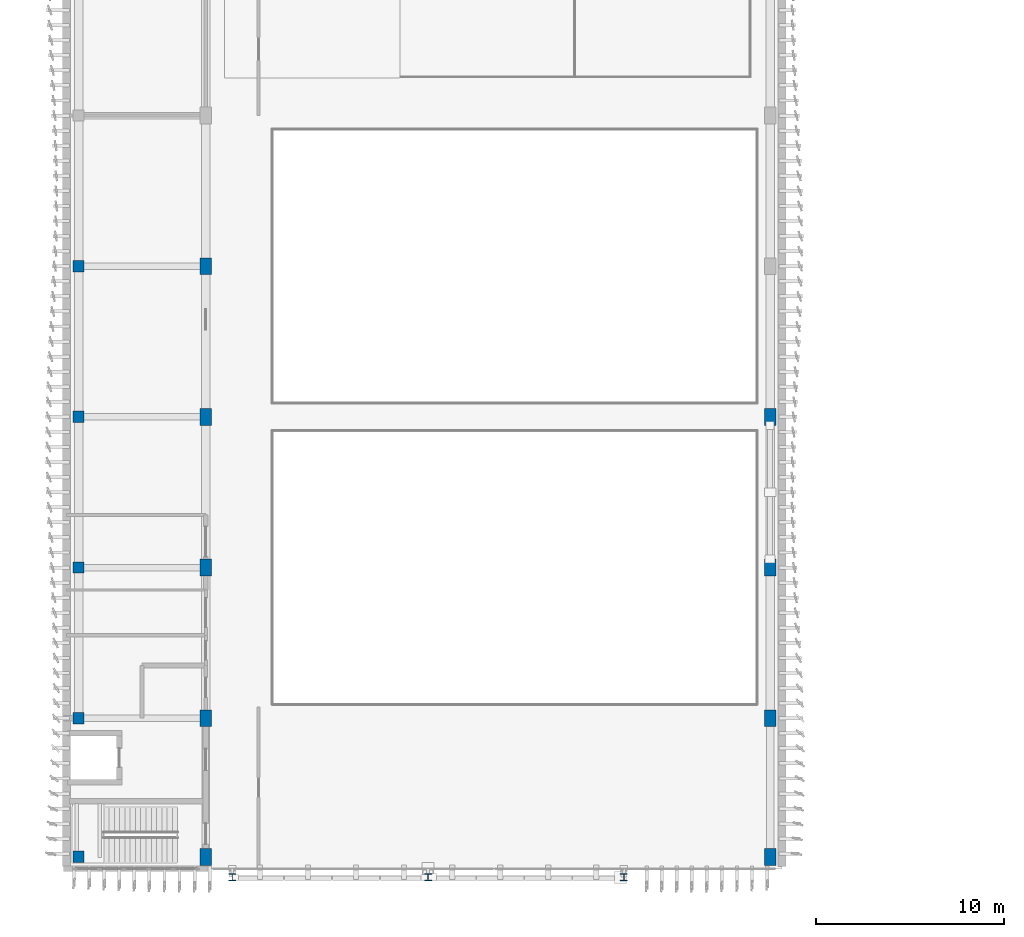
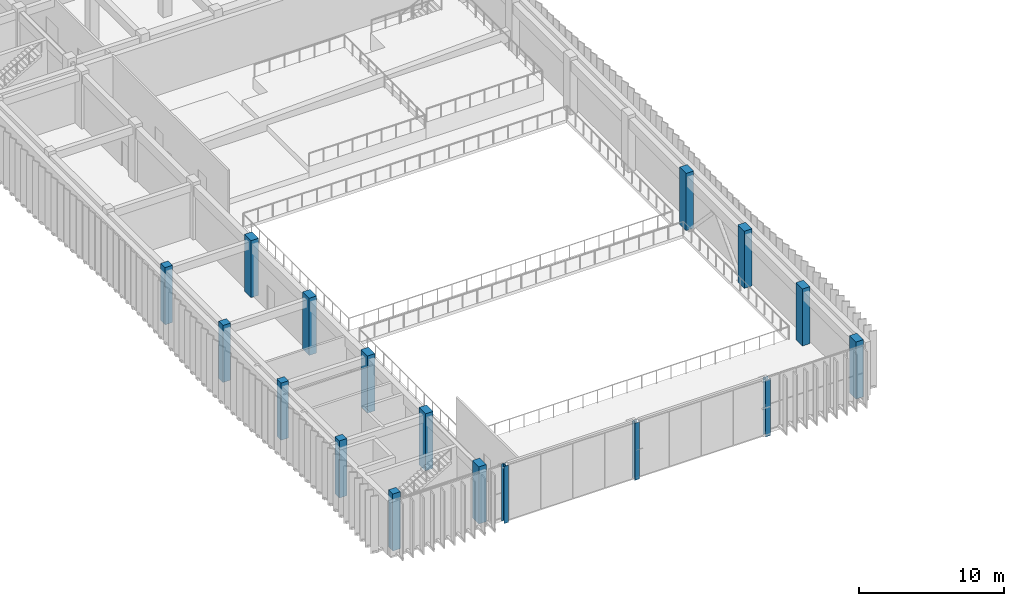
# One storey, part 1 of 64: 17 columns.
"""IFC4 building model written with IfcOpenShell, lengths in metres."""

import ifcopenshell
import ifcopenshell.guid

model = None  # the IFC model being written
_history = None  # IfcOwnerHistory: only IFC2X3 demands one
_inside = {}  # id of a spatial element -> (the spatial element, [elements in it])
_under = {}  # id of a project, library or spatial element -> (it, [spatial elements below it])
_declared = {}  # id of a project -> (the project, [libraries it declares])
_typed = {}  # id of a type object -> (the type object, [elements of that type])
_made_of = {}  # id of a material, layer set ... -> (it, [elements and type objects made of it])


def new_model(schema):
    """Start an empty IFC model of exactly this schema.

    Asked for "IFC4X3", IfcOpenShell would pick the latest addendum, in which some entities
    have other attributes; the version numbers below select the first issue.
    IFC2X3 requires an IfcOwnerHistory on every rooted entity: one is made here for all.
    """
    global model, _history
    if schema == "IFC4X3":
        model = ifcopenshell.file(schema_version=(4, 3, 0, 0))
    else:
        model = ifcopenshell.file(schema=schema)
    _inside.clear()
    _under.clear()
    _declared.clear()
    _typed.clear()
    _made_of.clear()
    _history = None
    if model.schema == "IFC2X3":
        org = make("IfcOrganization", Name="unknown")
        user = make(
            "IfcPersonAndOrganization",
            ThePerson=make("IfcPerson", FamilyName="unknown"),
            TheOrganization=org,
        )
        app = make(
            "IfcApplication",
            ApplicationDeveloper=org,
            Version="unknown",
            ApplicationFullName="unknown",
            ApplicationIdentifier="unknown",
        )
        _history = make(
            "IfcOwnerHistory",
            OwningUser=user,
            OwningApplication=app,
            ChangeAction="ADDED",
            CreationDate=0,
        )
    return model


def make(cls, **values):
    """One entity of the class cls with the attributes given. An attribute that is None is left unset."""
    return model.create_entity(
        cls, **{name: value for name, value in values.items() if value is not None}
    )


def rooted(cls, **values):
    """An entity with a GlobalId (a new one), such as an element, a storey or a relation."""
    return make(cls, GlobalId=ifcopenshell.guid.new(), OwnerHistory=_history, **values)


def si_unit(unit_type, name, prefix=None):
    """IfcSIUnit, for example si_unit("LENGTHUNIT", "METRE", prefix="MILLI")."""
    return make("IfcSIUnit", UnitType=unit_type, Prefix=prefix, Name=name)


def assignment(units):
    """IfcUnitAssignment: the units of a project."""
    return None if units is None else make("IfcUnitAssignment", Units=units)


def point(xyz):
    """IfcCartesianPoint."""
    return None if xyz is None else make("IfcCartesianPoint", Coordinates=xyz)


def direction(xyz):
    """IfcDirection."""
    return None if xyz is None else make("IfcDirection", DirectionRatios=xyz)


def frame(location, z_axis=None, x_axis=None):
    """IfcAxis2Placement3D, a coordinate frame: its origin and axes. An axis left out is left unset."""
    return make(
        "IfcAxis2Placement3D",
        Location=point(location),
        Axis=direction(z_axis),
        RefDirection=direction(x_axis),
    )


def frame_2d(location, x_axis=None):
    """IfcAxis2Placement2D, a coordinate frame in the plane: its origin and x axis."""
    return make(
        "IfcAxis2Placement2D", Location=point(location), RefDirection=direction(x_axis)
    )


def origin():
    """The frame at (0, 0, 0) with its axes left unset."""
    return frame((0.0, 0.0, 0.0))


def origin_2d():
    """The frame at (0, 0) in the plane with its x axis left unset."""
    return frame_2d((0.0, 0.0))


def place(relative_to, where):
    """IfcLocalPlacement: puts the frame where relative to a parent placement (None: the world)."""
    return make(
        "IfcLocalPlacement", PlacementRelTo=relative_to, RelativePlacement=where
    )


def context(
    kind, dimensions, precision=None, world=None, true_north=None, identifier=None
):
    """IfcGeometricRepresentationContext, for example the 3D "Model" context."""
    return make(
        "IfcGeometricRepresentationContext",
        ContextIdentifier=identifier,
        ContextType=kind,
        CoordinateSpaceDimension=dimensions,
        Precision=precision,
        WorldCoordinateSystem=world,
        TrueNorth=true_north,
    )


def subcontext(parent, identifier, kind, view, scale=None):
    """IfcGeometricRepresentationSubContext, for example "Body" below "Model"."""
    return make(
        "IfcGeometricRepresentationSubContext",
        ContextIdentifier=identifier,
        ContextType=kind,
        ParentContext=parent,
        TargetScale=scale,
        TargetView=view,
    )


def project(units=None, contexts=None):
    """IfcProject with its units and contexts."""
    return rooted(
        "IfcProject",
        Name="project",
        RepresentationContexts=contexts,
        UnitsInContext=assignment(units),
    )


def spatial(cls, under=None, at=None, **own):
    """A site, building, storey or space (cls), placed at a placement, below another one or the project."""
    s = rooted(cls, ObjectPlacement=at, **own)
    if under is not None:
        _under.setdefault(under.id(), (under, []))[1].append(s)
    return s


def profile(cls, at=None, kind="AREA", **sizes):
    """A parametric profile (cls). Its sizes go by their IFC names, for example OverallWidth=200.0."""
    return make(cls, ProfileType=kind, Position=at, **sizes)


def rectangle(**sizes):
    """IfcRectangleProfileDef."""
    return profile("IfcRectangleProfileDef", **sizes)


def i_section(**sizes):
    """IfcIShapeProfileDef."""
    return profile("IfcIShapeProfileDef", **sizes)


def extrude(swept, where, along, depth):
    """IfcExtrudedAreaSolid: the profile swept, set in the frame where, extruded along a direction by depth."""
    return make(
        "IfcExtrudedAreaSolid",
        SweptArea=swept,
        Position=where,
        ExtrudedDirection=direction(along),
        Depth=depth,
    )


def shape(context_of_items, identifier, shape_type, items):
    """IfcShapeRepresentation: the items that make up one representation, for example the "Body"."""
    return make(
        "IfcShapeRepresentation",
        ContextOfItems=context_of_items,
        RepresentationIdentifier=identifier,
        RepresentationType=shape_type,
        Items=items,
    )


def material(Name=None, Category=None):
    """IfcMaterial."""
    return make("IfcMaterial", Name=Name, Category=Category)


def material_profile(
    of_material, cross_section, Name=None, Category=None, Priority=None
):
    """IfcMaterialProfile: a cross section and its material."""
    return make(
        "IfcMaterialProfile",
        Name=Name,
        Material=of_material,
        Profile=cross_section,
        Priority=Priority,
        Category=Category,
    )


def profile_set(profiles, Name=None, composite=None):
    """IfcMaterialProfileSet."""
    return make(
        "IfcMaterialProfileSet",
        Name=Name,
        MaterialProfiles=profiles,
        CompositeProfile=composite,
    )


def made_of(thing, what):
    """Note that an element or type object is made of a material, layer set ...; save() writes the relation."""
    if what is not None:
        _made_of.setdefault(what.id(), (what, []))[1].append(thing)
    return thing


def type_object(cls, material=None, **own):
    """A type object (cls), such as IfcWallType, which elements share."""
    return made_of(rooted(cls, **own), material)


def element(
    cls,
    number,
    at=None,
    inside=None,
    cuts=None,
    type_object=None,
    material=None,
    context=None,
    identifier="Body",
    shape_type=None,
    held_by="IfcProductDefinitionShape",
    body=None,
    shapes=None,
    **own,
):
    """One element of the class cls, such as IfcWall. Its Tag is "e" and its number.

    at: its placement. inside: the storey or other place that contains it. cuts: it is an
    opening in that element (IfcRelVoidsElement). A single representation is given by context,
    identifier, shape_type and body (its items); several are given by shapes. held_by: the class
    of the entity that holds the representations. save() writes the other relations.
    """
    e = rooted(cls, Tag="e%d" % number, ObjectPlacement=at, **own)
    if body is not None:
        shapes = [shape(context, identifier, shape_type, body)]
    if shapes is not None:
        e.Representation = make(held_by, Representations=shapes)
    if inside is not None:
        _inside.setdefault(inside.id(), (inside, []))[1].append(e)
    if cuts is not None:
        rooted(
            "IfcRelVoidsElement", RelatingBuildingElement=cuts, RelatedOpeningElement=e
        )
    if type_object is not None:
        _typed.setdefault(type_object.id(), (type_object, []))[1].append(e)
    return made_of(e, material)


def aggregate(whole, parts):
    """IfcRelAggregates: a whole, such as a stair, and the parts it consists of."""
    return rooted("IfcRelAggregates", RelatingObject=whole, RelatedObjects=parts)


def save(model, path):
    """Write the relations noted so far, then the file.

    IfcRelAggregates (storeys below a building ...), IfcRelContainedInSpatialStructure (elements
    in a storey), IfcRelDefinesByType, IfcRelAssociatesMaterial and IfcRelDeclares: one each for
    every whole, place, type object, material and project.
    """
    for whole, parts in _under.values():
        aggregate(whole, parts)
    for where, things in _inside.values():
        rooted(
            "IfcRelContainedInSpatialStructure",
            RelatedElements=things,
            RelatingStructure=where,
        )
    for kind, things in _typed.values():
        rooted("IfcRelDefinesByType", RelatedObjects=things, RelatingType=kind)
    for what, things in _made_of.values():
        rooted("IfcRelAssociatesMaterial", RelatedObjects=things, RelatingMaterial=what)
    for by, libraries in _declared.values():
        rooted("IfcRelDeclares", RelatingContext=by, RelatedDefinitions=libraries)
    model.write(path)


model = new_model("IFC4")

# Units and contexts
model_context = context("Model", 3, precision=1e-05, world=origin(), true_north=direction((0.0, 1.0)))
body_context = subcontext(model_context, "Body", "Model", "MODEL_VIEW")
ifc_project = project(units=[si_unit("LENGTHUNIT", "METRE"), si_unit("AREAUNIT", "SQUARE_METRE"), si_unit("VOLUMEUNIT", "CUBIC_METRE"), si_unit("PLANEANGLEUNIT", "RADIAN"), si_unit("MASSUNIT", "GRAM", prefix="KILO")], contexts=[model_context])

# Site, building, storey
site_placement = place(None, origin())
site = spatial("IfcSite", under=ifc_project, at=site_placement, CompositionType="ELEMENT")
building_placement = place(site_placement, origin())
building = spatial("IfcBuilding", under=site, at=building_placement, Name="Cinchona Park Media Centre", CompositionType="ELEMENT")
storey_placement = place(building_placement, frame((0.0, 0.0, 5.39990234375)))
storey = spatial("IfcBuildingStorey", under=building, at=storey_placement, Name="L01", CompositionType="ELEMENT", Elevation=5.39990234375)

# Columns
ifc_material_1 = material(Name="Concrete C40/50", Category="concrete")
ifc_material_profile_1 = material_profile(ifc_material_1, rectangle(XDim=0.60009765625, YDim=0.60009765625, at=origin_2d()), Name="RC 600X600")
ifc_profile_set_1 = profile_set([ifc_material_profile_1], Name="Concrete C40/50")
column_type_1 = type_object("IfcColumnType", Name="COL-C03-RC600X600", PredefinedType="COLUMN", material=ifc_profile_set_1)
for number, where, z_axis, x_axis, name in (
    (1, (8.639892578125, 8.239990234375, 0.0), (0.0, 0.0, 1.0), (1.0, 0.0, 0.0), "Column C03 L01"),
    (2, (8.639892578125, 15.60009765625, 0.0), (0.0, 0.0, 1.0), (1.0, 0.0, 0.0), "Column C03 L01"),
    (3, (8.639892578125, 23.60009765625, 0.0), (0.0, 0.0, 1.0), (1.0, 0.0, 0.0), "Column C03 L01"),
    (4, (8.639892578125, 31.60009765625, 0.0), (0.0, 0.0, 1.0), (1.0, 0.0, 0.0), "Column C03 L01"),
    (5, (8.639892578125, 39.60009765625, 0.0), (0.0, 0.0, 1.0), (1.0, 0.0, 0.0), "Column C03 L01"),
):
    element("IfcColumn", number, at=place(storey_placement, frame(where, z_axis=z_axis, x_axis=x_axis)), inside=storey, type_object=column_type_1, Name=name, PredefinedType="COLUMN", context=body_context, shape_type="SweptSolid", body=[
        extrude(rectangle(XDim=0.60009765625, YDim=0.60009765625, at=origin_2d()), origin(), (0.0, 0.0, 1.0), 4.800048828125),
    ])
ifc_material_2 = material(Name="Concrete C40/50", Category="concrete")
ifc_material_profile_2 = material_profile(ifc_material_2, rectangle(XDim=0.60009765625, YDim=0.89990234375, at=origin_2d()), Name="RC 600X900")
ifc_profile_set_2 = profile_set([ifc_material_profile_2], Name="Concrete C40/50")
column_type_2 = type_object("IfcColumnType", Name="COL-C05-RC600X900", PredefinedType="COLUMN", material=ifc_profile_set_2)
for number, where, z_axis, x_axis, name in (
    (6, (15.39990234375, 8.239990234375, 0.0), (0.0, 0.0, 1.0), (1.0, 0.0, 0.0), "Column C05 L01"),
    (7, (15.39990234375, 15.60009765625, 0.0), (0.0, 0.0, 1.0), (1.0, 0.0, 0.0), "Column C05 L01"),
    (8, (15.39990234375, 23.60009765625, 0.0), (0.0, 0.0, 1.0), (1.0, 0.0, 0.0), "Column C05 L01"),
    (9, (15.39990234375, 31.60009765625, 0.0), (0.0, 0.0, 1.0), (1.0, 0.0, 0.0), "Column C05 L01"),
    (10, (15.39990234375, 39.60009765625, 0.0), (0.0, 0.0, 1.0), (1.0, 0.0, 0.0), "Column C05 L01"),
    (11, (45.360107421875, 8.239990234375, 0.0), (0.0, 0.0, 1.0), (1.0, 0.0, 0.0), "Column C05 L01"),
    (12, (45.360107421875, 15.60009765625, 0.0), (0.0, 0.0, 1.0), (1.0, 0.0, 0.0), "Column C05 L01"),
    (13, (45.360107421875, 23.60009765625, 0.0), (0.0, 0.0, 1.0), (1.0, 0.0, 0.0), "Column C05 L01"),
    (14, (45.360107421875, 31.60009765625, 0.0), (0.0, 0.0, 1.0), (1.0, 0.0, 0.0), "Column C05 L01"),
):
    element("IfcColumn", number, at=place(storey_placement, frame(where, z_axis=z_axis, x_axis=x_axis)), inside=storey, type_object=column_type_2, Name=name, PredefinedType="COLUMN", context=body_context, shape_type="SweptSolid", body=[
        extrude(rectangle(XDim=0.60009765625, YDim=0.89990234375, at=origin_2d()), origin(), (0.0, 0.0, 1.0), 4.800048828125),
    ])
ifc_material_3 = material(Name="Steel S355", Category="steel")
ifc_material_profile_3 = material_profile(ifc_material_3, i_section(OverallWidth=0.37255859375, OverallDepth=0.3681640625, WebThickness=0.014404296875, FlangeThickness=0.023681640625, at=origin_2d()), Name="UC356X368X177")
ifc_profile_set_3 = profile_set([ifc_material_profile_3], Name="Steel S355")
column_type_3 = type_object("IfcColumnType", Name="COL-C08-UC356X368X177", PredefinedType="COLUMN", material=ifc_profile_set_3)
for number, where, z_axis, x_axis, name in (
    (15, (16.800048828125, 7.14990234375, 0.0), (0.0, 0.0, 1.0), (1.0, 0.0, 0.0), "Screen Portal Column C08 L01"),
    (16, (27.199951171875, 7.14990234375, 0.0), (0.0, 0.0, 1.0), (1.0, 0.0, 0.0), "Screen Portal Column C08 L01"),
    (17, (37.60009765625, 7.14990234375, 0.0), (0.0, 0.0, 1.0), (1.0, 0.0, 0.0), "Screen Portal Column C08 L01"),
):
    element("IfcColumn", number, at=place(storey_placement, frame(where, z_axis=z_axis, x_axis=x_axis)), inside=storey, type_object=column_type_3, Name=name, PredefinedType="COLUMN", context=body_context, shape_type="SweptSolid", body=[
        extrude(i_section(OverallWidth=0.37255859375, OverallDepth=0.3681640625, WebThickness=0.014404296875, FlangeThickness=0.023681640625, at=origin_2d()), origin(), (0.0, 0.0, 1.0), 4.800048828125),
    ])

save(model, "model.ifc")
